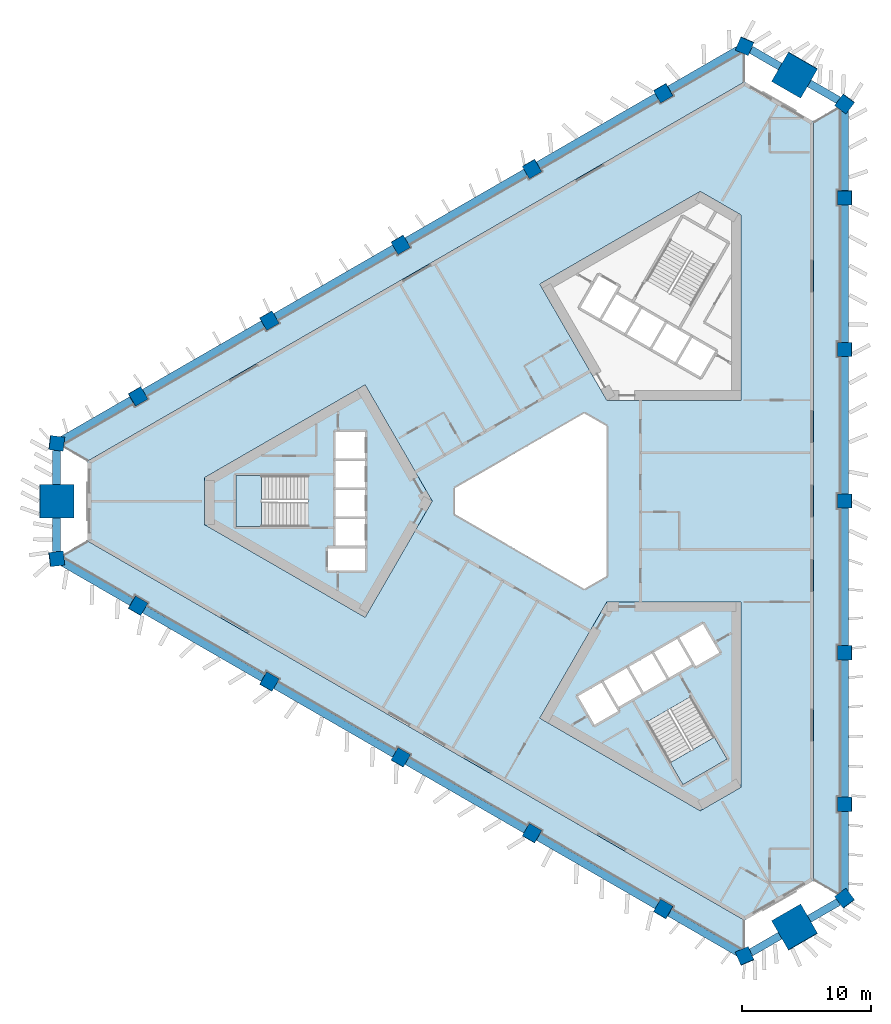
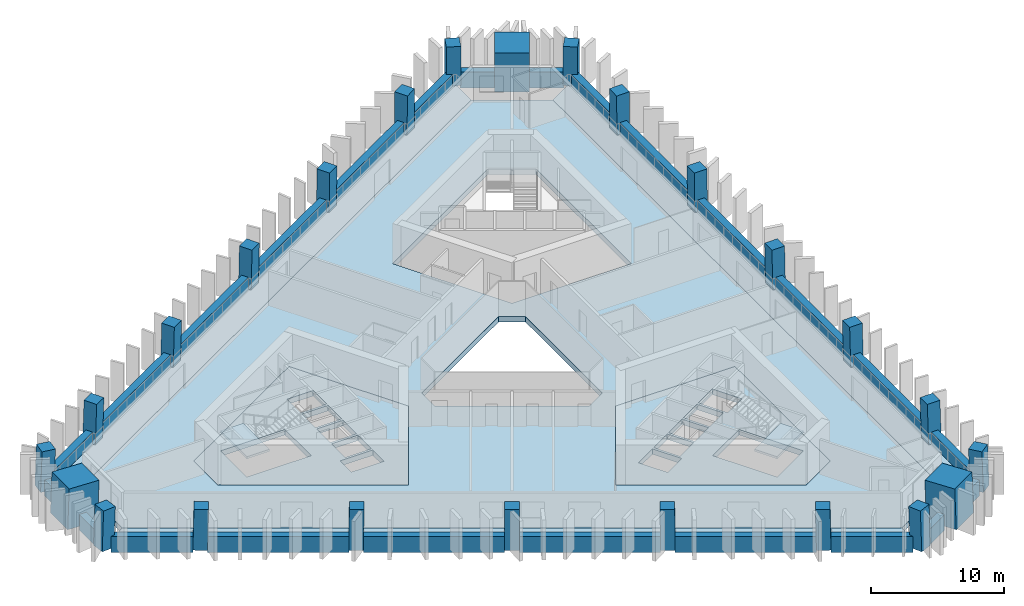
# One storey, part 1 of 10: 24 beams, 24 columns, 8 slabs, 2 elements without a shape of their own.
"""IFC4 building model written with IfcOpenShell, lengths in metres."""

from ifc_helpers import new_model, si_unit, direction, frame, origin, origin_2d, place, context, subcontext, project, spatial, polyline, rectangle, outline, extrude, material, layer, layer_set, material_profile, profile_set, type_object, element, aggregate, save


model = new_model("IFC4")

# Units and contexts
model_context = context("Model", 3, precision=1e-05, world=origin(), true_north=direction((0.0, 1.0)))
body_context = subcontext(model_context, "Body", "Model", "MODEL_VIEW")
ifc_project = project(units=[si_unit("LENGTHUNIT", "METRE"), si_unit("AREAUNIT", "SQUARE_METRE"), si_unit("VOLUMEUNIT", "CUBIC_METRE"), si_unit("PLANEANGLEUNIT", "RADIAN"), si_unit("MASSUNIT", "GRAM", prefix="KILO")], contexts=[model_context])

# Site, building, storey
site_placement = place(None, origin())
site = spatial("IfcSite", under=ifc_project, at=site_placement, CompositionType="ELEMENT")
building_placement = place(site_placement, origin())
building = spatial("IfcBuilding", under=site, at=building_placement, Name="Jabali Bay Hotel Tower and Convention Centre", CompositionType="ELEMENT")
storey_placement = place(building_placement, frame((0.0, 0.0, 86.89990234375)))
storey = spatial("IfcBuildingStorey", under=building, at=storey_placement, Name="L20", CompositionType="ELEMENT", Elevation=86.89990234375)

# Columns
ifc_material_1 = material(Name="Concrete C60", Category="concrete")
ifc_material_profile_1 = material_profile(ifc_material_1, rectangle(XDim=1.10009765625, YDim=1.10009765625, at=origin_2d()), Name="Frame column 1100")
ifc_profile_set_1 = profile_set([ifc_material_profile_1], Name="Concrete C60")
column_type_1 = type_object("IfcColumnType", Name="Frame column 1100", PredefinedType="COLUMN", material=ifc_profile_set_1)
column_1_placement = place(storey_placement, frame((83.871826171875, 111.56640625, 0.0), z_axis=(-0.00830995476, -0.028161513353, 0.999568843961), x_axis=(0.864772838411, 0.501710285471, 0.021324338185)))
element("IfcColumn", 1, at=column_1_placement, inside=storey, type_object=column_type_1, Name="FC2 F1.1 L20", PredefinedType="COLUMN", context=body_context, shape_type="SweptSolid", body=[
    extrude(rectangle(XDim=1.10009765625, YDim=1.10009765625, at=origin_2d()), origin(), (0.0, 0.0, 1.0), 3.701904296875),
])
column_2_placement = place(storey_placement, frame((73.710693359375, 105.69970703125, 0.0), z_axis=(0.000857522362, -0.02282328747, 0.99973914708), x_axis=(0.866060437305, 0.499825487007, 0.010667777304)))
element("IfcColumn", 2, at=column_2_placement, inside=storey, type_object=column_type_1, Name="FC2 F1.2 L20", PredefinedType="COLUMN", context=body_context, shape_type="SweptSolid", body=[
    extrude(rectangle(XDim=1.10009765625, YDim=1.10009765625, at=origin_2d()), origin(), (0.0, 0.0, 1.0), 3.701171875),
])
column_3_placement = place(storey_placement, frame((63.54931640625, 99.8330078125, 0.0), z_axis=(0.010092954999, -0.017481261926, 0.999796248113), x_axis=(0.86601685016, 0.500014815019, 2.20896e-07)))
element("IfcColumn", 3, at=column_3_placement, inside=storey, type_object=column_type_1, Name="FC2 F1.3 L20", PredefinedType="COLUMN", context=body_context, shape_type="SweptSolid", body=[
    extrude(rectangle(XDim=1.10009765625, YDim=1.10009765625, at=origin_2d()), origin(), (0.0, 0.0, 1.0), 3.700927734375),
])
column_4_placement = place(storey_placement, frame((53.38818359375, 93.966552734375, 0.0), z_axis=(0.019327226818, -0.01220319782, 0.999738736004), x_axis=(-0.498096614993, 0.866885968369, 0.020210887592)))
element("IfcColumn", 4, at=column_4_placement, inside=storey, type_object=column_type_1, Name="FC2 F1.4 L20", PredefinedType="COLUMN", context=body_context, shape_type="SweptSolid", body=[
    extrude(rectangle(XDim=1.10009765625, YDim=1.10009765625, at=origin_2d()), origin(), (0.0, 0.0, 1.0), 3.701171875),
])
for number, where, z_axis, x_axis, name in (
    (5, (43.226806640625, 88.099853515625, 0.0), (0.028557232129, -0.006793059837, 0.999569076568), (-0.500407681469, 0.865554719029, 0.0201787188), "FC2 F1.5 L20"),
    (6, (43.226806640625, 71.900146484375, 0.0), (0.028557232129, 0.006793059837, 0.999569076568), (-0.865318806464, 0.500768292431, 0.021318547709), "FC2 F2.1 L20"),
):
    element("IfcColumn", number, at=place(storey_placement, frame(where, z_axis=z_axis, x_axis=x_axis)), inside=storey, type_object=column_type_1, Name=name, PredefinedType="COLUMN", context=body_context, shape_type="SweptSolid", body=[
        extrude(rectangle(XDim=1.10009765625, YDim=1.10009765625, at=origin_2d()), origin(), (0.0, 0.0, 1.0), 3.701904296875),
    ])
column_5_placement = place(storey_placement, frame((53.38818359375, 66.033447265625, 0.0), z_axis=(0.019327226818, 0.01220319782, 0.999738736004), x_axis=(-0.866906119736, 0.49835710069, 0.010676130209)))
element("IfcColumn", 7, at=column_5_placement, inside=storey, type_object=column_type_1, Name="FC2 F2.2 L20", PredefinedType="COLUMN", context=body_context, shape_type="SweptSolid", body=[
    extrude(rectangle(XDim=1.10009765625, YDim=1.10009765625, at=origin_2d()), origin(), (0.0, 0.0, 1.0), 3.701171875),
])
column_6_placement = place(storey_placement, frame((63.54931640625, 60.1669921875, 0.0), z_axis=(0.010092954999, 0.017481261926, 0.999796248113), x_axis=(-0.499912939919, -0.865840395363, 0.020185694417)))
element("IfcColumn", 8, at=column_6_placement, inside=storey, type_object=column_type_1, Name="FC2 F2.3 L20", PredefinedType="COLUMN", context=body_context, shape_type="SweptSolid", body=[
    extrude(rectangle(XDim=1.10009765625, YDim=1.10009765625, at=origin_2d()), origin(), (0.0, 0.0, 1.0), 3.700927734375),
])
column_7_placement = place(storey_placement, frame((73.710693359375, 54.30029296875, 0.0), z_axis=(0.000857522362, 0.02282328747, 0.99973914708), x_axis=(-0.499938579817, -0.865825375054, 0.020194957859)))
element("IfcColumn", 9, at=column_7_placement, inside=storey, type_object=column_type_1, Name="FC2 F2.4 L20", PredefinedType="COLUMN", context=body_context, shape_type="SweptSolid", body=[
    extrude(rectangle(XDim=1.10009765625, YDim=1.10009765625, at=origin_2d()), origin(), (0.0, 0.0, 1.0), 3.701171875),
])
for number, where, z_axis, x_axis, name in (
    (10, (83.871826171875, 48.43359375, 0.0), (-0.00830995476, 0.028161513353, 0.999568843961), (-0.502094495686, -0.864577190665, 0.020184122061), "FC2 F2.5 L20"),
    (11, (97.9013671875, 56.533447265625, 0.0), (-0.020181300839, 0.021368436182, 0.999567959186), (-0.001321597842, -0.99977127255, 0.021346099457), "FC2 F0.1 L20"),
):
    element("IfcColumn", number, at=place(storey_placement, frame(where, z_axis=z_axis, x_axis=x_axis)), inside=storey, type_object=column_type_1, Name=name, PredefinedType="COLUMN", context=body_context, shape_type="SweptSolid", body=[
        extrude(rectangle(XDim=1.10009765625, YDim=1.10009765625, at=origin_2d()), origin(), (0.0, 0.0, 1.0), 3.701904296875),
    ])
column_8_placement = place(storey_placement, frame((97.9013671875, 68.266845703125, 0.0), z_axis=(-0.02018477153, 0.01062009221, 0.999739860484), x_axis=(0.001543252549, -0.999942060058, 0.010653398453)))
element("IfcColumn", 12, at=column_8_placement, inside=storey, type_object=column_type_1, Name="FC2 F0.2 L20", PredefinedType="COLUMN", context=body_context, shape_type="SweptSolid", body=[
    extrude(rectangle(XDim=1.10009765625, YDim=1.10009765625, at=origin_2d()), origin(), (0.0, 0.0, 1.0), 3.701171875),
])
column_9_placement = place(storey_placement, frame((97.9013671875, 80.0, 0.0), z_axis=(-0.02018590991, 0.0, 0.999796243762), x_axis=(0.0, -1.0, 0.0)))
element("IfcColumn", 13, at=column_9_placement, inside=storey, type_object=column_type_1, Name="FC2 F0.3 L20", PredefinedType="COLUMN", context=body_context, shape_type="SweptSolid", body=[
    extrude(rectangle(XDim=1.10009765625, YDim=1.10009765625, at=origin_2d()), origin(), (0.0, 0.0, 1.0), 3.700927734375),
])
column_10_placement = place(storey_placement, frame((97.9013671875, 91.733154296875, 0.0), z_axis=(-0.02018477153, -0.01062009221, 0.999739860484), x_axis=(0.999795075688, -0.001757887502, 0.020167212541)))
element("IfcColumn", 14, at=column_10_placement, inside=storey, type_object=column_type_1, Name="FC2 F0.4 L20", PredefinedType="COLUMN", context=body_context, shape_type="SweptSolid", body=[
    extrude(rectangle(XDim=1.10009765625, YDim=1.10009765625, at=origin_2d()), origin(), (0.0, 0.0, 1.0), 3.701171875),
])
column_11_placement = place(storey_placement, frame((97.9013671875, 103.466552734375, 0.0), z_axis=(-0.020181300839, -0.021368436182, 0.999567959186), x_axis=(0.99979546332, 0.000890234802, 0.0202049253)))
element("IfcColumn", 15, at=column_11_placement, inside=storey, type_object=column_type_1, Name="FC2 F0.5 L20", PredefinedType="COLUMN", context=body_context, shape_type="SweptSolid", body=[
    extrude(rectangle(XDim=1.10009765625, YDim=1.10009765625, at=origin_2d()), origin(), (0.0, 0.0, 1.0), 3.701904296875),
])
for number, where, z_axis, x_axis, name in (
    (16, (97.9013671875, 49.2666015625, 0.0), (-0.020177412175, 0.029013272408, 0.999375355941), (-0.801965074737, -0.597369813917, 0.001150792112), "FC2 V0 L20"),
    (17, (97.9013671875, 110.7333984375, 0.0), (-0.020177412175, -0.029013272408, 0.999375355941), (0.597030058657, 0.801440912011, 0.035321008131), "FC2 V1 L20"),
    (18, (90.165283203125, 115.19970703125, 0.0), (-0.01503415113, -0.031980540781, 0.999375414602), (0.918352984089, -0.395760625149, 0.001150737475), "FC2 V2 L20"),
    (19, (36.93359375, 84.46630859375, 0.0), (0.035211566633, -0.002967266851, 0.999375475436), (-0.992583024174, 0.116325428137, 0.035317628607), "FC2 V3 L20"),
    (20, (36.93359375, 75.53369140625, 0.0), (0.035211566633, 0.002967266851, 0.999375475436), (-0.116357576878, 0.993206720726, 0.001150741859), "FC2 V4 L20"),
    (21, (90.165283203125, 44.80029296875, 0.0), (-0.01503415113, 0.031980540781, 0.999375414602), (0.395476637634, -0.917796694586, 0.035319350109), "FC2 V5 L20"),
):
    element("IfcColumn", number, at=place(storey_placement, frame(where, z_axis=z_axis, x_axis=x_axis)), inside=storey, type_object=column_type_1, Name=name, PredefinedType="COLUMN", context=body_context, shape_type="SweptSolid", body=[
        extrude(rectangle(XDim=1.10009765625, YDim=1.10009765625, at=origin_2d()), origin(), (0.0, 0.0, 1.0), 3.702392578125),
    ])
ifc_material_2 = material(Name="Concrete C70", Category="concrete")
ifc_material_profile_2 = material_profile(ifc_material_2, rectangle(XDim=2.60009765625, YDim=2.60009765625, at=origin_2d()), Name="Mega column 2600")
ifc_profile_set_2 = profile_set([ifc_material_profile_2], Name="Concrete C70")
column_type_2 = type_object("IfcColumnType", Name="Mega column 2600", PredefinedType="COLUMN", material=ifc_profile_set_2)
for number, where, z_axis, x_axis, name in (
    (22, (94.033203125, 112.966552734375, 0.0), (-0.017605841609, -0.030529980019, 0.999378784376), (0.866279052578, -0.499560409824, 2.46e-09), "MC2 M1 L20"),
    (23, (36.93359375, 80.0, 0.0), (0.035211721647, 0.0, 0.999379875052), (0.0, 1.0, 0.0), "MC2 M0 L20"),
    (24, (94.033203125, 47.033447265625, 0.0), (-0.017605841609, 0.030529980019, 0.999378784376), (0.499250075017, -0.86574090654, 0.035242663616), "MC2 M2 L20"),
):
    element("IfcColumn", number, at=place(storey_placement, frame(where, z_axis=z_axis, x_axis=x_axis)), inside=storey, type_object=column_type_2, Name=name, PredefinedType="COLUMN", context=body_context, shape_type="SweptSolid", body=[
        extrude(rectangle(XDim=2.60009765625, YDim=2.60009765625, at=origin_2d()), origin(), (0.0, 0.0, 1.0), 3.702392578125),
    ])

# Beams
ifc_material_profile_3 = material_profile(ifc_material_1, rectangle(XDim=0.60009765625, YDim=1.449951171875, at=origin_2d()), Name="Spandrel 600x1450")
ifc_profile_set_3 = profile_set([ifc_material_profile_3], Name="Concrete C60")
beam_type = type_object("IfcBeamType", Name="Spandrel 600x1450", PredefinedType="SPANDREL", material=ifc_profile_set_3)
beam_1_placement = place(storey_placement, frame((92.90087890625, 113.60498046875, 0.375), z_axis=(-0.866028574817, 0.499994507569, 0.0), x_axis=(-0.499994507569, -0.866028574817, 0.0)))
element("IfcBeam", 25, at=beam_1_placement, inside=storey, type_object=beam_type, Name="Spandrel M1-V2 L20", PredefinedType="SPANDREL", context=body_context, shape_type="SweptSolid", body=[
    extrude(rectangle(XDim=0.60009765625, YDim=1.449951171875, at=origin_2d()), origin(), (0.0, 0.0, 1.0), 2.615234375),
])
beam_2_placement = place(storey_placement, frame((89.683349609375, 114.91259765625, 0.375), z_axis=(-0.866038500573, -0.499977315012, 0.0), x_axis=(0.499977315012, -0.866038500573, 0.0)))
element("IfcBeam", 26, at=beam_2_placement, inside=storey, type_object=beam_type, Name="Spandrel V2-F1.1 L20", PredefinedType="SPANDREL", context=body_context, shape_type="SweptSolid", body=[
    extrude(rectangle(XDim=0.60009765625, YDim=1.449951171875, at=origin_2d()), origin(), (0.0, 0.0, 1.0), 6.163818359375),
])
beam_3_placement = place(storey_placement, frame((83.392578125, 111.28076171875, 0.375), z_axis=(-0.866025323223, -0.500000139537, 0.0), x_axis=(0.500000139537, -0.866025323223, 0.0)))
element("IfcBeam", 27, at=beam_3_placement, inside=storey, type_object=beam_type, Name="Spandrel F1.1-F1.2 L20", PredefinedType="SPANDREL", context=body_context, shape_type="SweptSolid", body=[
    extrude(rectangle(XDim=0.60009765625, YDim=1.449951171875, at=origin_2d()), origin(), (0.0, 0.0, 1.0), 10.62939453125),
])
beam_4_placement = place(storey_placement, frame((73.234619140625, 105.416015625, 0.375), z_axis=(-0.86602952684, -0.49999285859, 0.0), x_axis=(0.49999285859, -0.86602952684, 0.0)))
element("IfcBeam", 28, at=beam_4_placement, inside=storey, type_object=beam_type, Name="Spandrel F1.2-F1.3 L20", PredefinedType="SPANDREL", context=body_context, shape_type="SweptSolid", body=[
    extrude(rectangle(XDim=0.60009765625, YDim=1.449951171875, at=origin_2d()), origin(), (0.0, 0.0, 1.0), 10.629150390625),
])
beam_5_placement = place(storey_placement, frame((63.076904296875, 99.551513671875, 0.375), z_axis=(-0.866025323223, -0.500000139537, 0.0), x_axis=(0.500000139537, -0.866025323223, 0.0)))
element("IfcBeam", 29, at=beam_5_placement, inside=storey, type_object=beam_type, Name="Spandrel F1.3-F1.4 L20", PredefinedType="SPANDREL", context=body_context, shape_type="SweptSolid", body=[
    extrude(rectangle(XDim=0.60009765625, YDim=1.449951171875, at=origin_2d()), origin(), (0.0, 0.0, 1.0), 10.62939453125),
])
beam_6_placement = place(storey_placement, frame((52.9189453125, 93.686767578125, 0.375), z_axis=(-0.86602952684, -0.49999285859, 0.0), x_axis=(0.49999285859, -0.86602952684, 0.0)))
element("IfcBeam", 30, at=beam_6_placement, inside=storey, type_object=beam_type, Name="Spandrel F1.4-F1.5 L20", PredefinedType="SPANDREL", context=body_context, shape_type="SweptSolid", body=[
    extrude(rectangle(XDim=0.60009765625, YDim=1.449951171875, at=origin_2d()), origin(), (0.0, 0.0, 1.0), 10.629150390625),
])
beam_7_placement = place(storey_placement, frame((42.76123046875, 87.822265625, 0.375), z_axis=(-0.866021349965, -0.500007021356, 0.0), x_axis=(0.500007021356, -0.866021349965, 0.0)))
element("IfcBeam", 31, at=beam_7_placement, inside=storey, type_object=beam_type, Name="Spandrel F1.5-V3 L20", PredefinedType="SPANDREL", context=body_context, shape_type="SweptSolid", body=[
    extrude(rectangle(XDim=0.60009765625, YDim=1.449951171875, at=origin_2d()), origin(), (0.0, 0.0, 1.0), 6.1640625),
])
for number, where, z_axis, x_axis, name in (
    (32, (36.94677734375, 83.915283203125, 0.375), (0.0, -1.0, 0.0), (1.0, 0.0, 0.0), "Spandrel V3-M0 L20"),
    (33, (36.94677734375, 78.699951171875, 0.375), (0.0, -1.0, 0.0), (1.0, 0.0, 0.0), "Spandrel M0-V4 L20"),
):
    element("IfcBeam", number, at=place(storey_placement, frame(where, z_axis=z_axis, x_axis=x_axis)), inside=storey, type_object=beam_type, Name=name, PredefinedType="SPANDREL", context=body_context, shape_type="SweptSolid", body=[
        extrude(rectangle(XDim=0.60009765625, YDim=1.449951171875, at=origin_2d()), origin(), (0.0, 0.0, 1.0), 2.615234375),
    ])
beam_8_placement = place(storey_placement, frame((37.423095703125, 75.259765625, 0.375), z_axis=(0.866021349965, -0.500007021356, 0.0), x_axis=(0.500007021356, 0.866021349965, 0.0)))
element("IfcBeam", 34, at=beam_8_placement, inside=storey, type_object=beam_type, Name="Spandrel V4-F2.1 L20", PredefinedType="SPANDREL", context=body_context, shape_type="SweptSolid", body=[
    extrude(rectangle(XDim=0.60009765625, YDim=1.449951171875, at=origin_2d()), origin(), (0.0, 0.0, 1.0), 6.1640625),
])
beam_9_placement = place(storey_placement, frame((43.7138671875, 71.627685546875, 0.375), z_axis=(0.86602952684, -0.49999285859, 0.0), x_axis=(0.49999285859, 0.86602952684, 0.0)))
element("IfcBeam", 35, at=beam_9_placement, inside=storey, type_object=beam_type, Name="Spandrel F2.1-F2.2 L20", PredefinedType="SPANDREL", context=body_context, shape_type="SweptSolid", body=[
    extrude(rectangle(XDim=0.60009765625, YDim=1.449951171875, at=origin_2d()), origin(), (0.0, 0.0, 1.0), 10.629150390625),
])
beam_10_placement = place(storey_placement, frame((53.87158203125, 65.76318359375, 0.375), z_axis=(0.866025323223, -0.500000139537, 0.0), x_axis=(0.500000139537, 0.866025323223, 0.0)))
element("IfcBeam", 36, at=beam_10_placement, inside=storey, type_object=beam_type, Name="Spandrel F2.2-F2.3 L20", PredefinedType="SPANDREL", context=body_context, shape_type="SweptSolid", body=[
    extrude(rectangle(XDim=0.60009765625, YDim=1.449951171875, at=origin_2d()), origin(), (0.0, 0.0, 1.0), 10.62939453125),
])
beam_11_placement = place(storey_placement, frame((64.029541015625, 59.8984375, 0.375), z_axis=(0.86602952684, -0.49999285859, 0.0), x_axis=(0.49999285859, 0.86602952684, 0.0)))
element("IfcBeam", 37, at=beam_11_placement, inside=storey, type_object=beam_type, Name="Spandrel F2.3-F2.4 L20", PredefinedType="SPANDREL", context=body_context, shape_type="SweptSolid", body=[
    extrude(rectangle(XDim=0.60009765625, YDim=1.449951171875, at=origin_2d()), origin(), (0.0, 0.0, 1.0), 10.629150390625),
])
beam_12_placement = place(storey_placement, frame((74.187255859375, 54.033935546875, 0.375), z_axis=(0.866025323223, -0.500000139537, 0.0), x_axis=(0.500000139537, 0.866025323223, 0.0)))
element("IfcBeam", 38, at=beam_12_placement, inside=storey, type_object=beam_type, Name="Spandrel F2.4-F2.5 L20", PredefinedType="SPANDREL", context=body_context, shape_type="SweptSolid", body=[
    extrude(rectangle(XDim=0.60009765625, YDim=1.449951171875, at=origin_2d()), origin(), (0.0, 0.0, 1.0), 10.62939453125),
])
beam_13_placement = place(storey_placement, frame((84.34521484375, 48.169189453125, 0.375), z_axis=(0.866038500573, -0.499977315012, 0.0), x_axis=(0.499977315012, 0.866038500573, 0.0)))
element("IfcBeam", 39, at=beam_13_placement, inside=storey, type_object=beam_type, Name="Spandrel F2.5-V5 L20", PredefinedType="SPANDREL", context=body_context, shape_type="SweptSolid", body=[
    extrude(rectangle(XDim=0.60009765625, YDim=1.449951171875, at=origin_2d()), origin(), (0.0, 0.0, 1.0), 6.163818359375),
])
beam_14_placement = place(storey_placement, frame((90.635986328125, 45.08740234375, 0.375), z_axis=(0.866028574817, 0.499994507569, 0.0), x_axis=(-0.499994507569, 0.866028574817, 0.0)))
element("IfcBeam", 40, at=beam_14_placement, inside=storey, type_object=beam_type, Name="Spandrel V5-M2 L20", PredefinedType="SPANDREL", context=body_context, shape_type="SweptSolid", body=[
    extrude(rectangle(XDim=0.60009765625, YDim=1.449951171875, at=origin_2d()), origin(), (0.0, 0.0, 1.0), 2.615234375),
])
beam_15_placement = place(storey_placement, frame((95.15234375, 47.69482421875, 0.375), z_axis=(0.866011491631, 0.500024095782, 0.0), x_axis=(-0.500024095782, 0.866011491631, 0.0)))
element("IfcBeam", 41, at=beam_15_placement, inside=storey, type_object=beam_type, Name="Spandrel M2-V0 L20", PredefinedType="SPANDREL", context=body_context, shape_type="SweptSolid", body=[
    extrude(rectangle(XDim=0.60009765625, YDim=1.449951171875, at=origin_2d()), origin(), (0.0, 0.0, 1.0), 2.615478515625),
])
beam_16_placement = place(storey_placement, frame((97.893798828125, 49.82763671875, 0.375), z_axis=(0.0, 1.0, 0.0), x_axis=(-1.0, 0.0, 0.0)))
element("IfcBeam", 42, at=beam_16_placement, inside=storey, type_object=beam_type, Name="Spandrel V0-F0.1 L20", PredefinedType="SPANDREL", context=body_context, shape_type="SweptSolid", body=[
    extrude(rectangle(XDim=0.60009765625, YDim=1.449951171875, at=origin_2d()), origin(), (0.0, 0.0, 1.0), 6.163818359375),
])
for number, where, z_axis, x_axis, name in (
    (43, (97.893798828125, 57.091552734375, 0.375), (0.0, 1.0, 0.0), (-1.0, 0.0, 0.0), "Spandrel F0.1-F0.2 L20"),
    (44, (97.893798828125, 68.82080078125, 0.375), (0.0, 1.0, 0.0), (-1.0, 0.0, 0.0), "Spandrel F0.2-F0.3 L20"),
    (45, (97.893798828125, 80.550048828125, 0.375), (0.0, 1.0, 0.0), (-1.0, 0.0, 0.0), "Spandrel F0.3-F0.4 L20"),
    (46, (97.893798828125, 92.279296875, 0.375), (0.0, 1.0, 0.0), (-1.0, 0.0, 0.0), "Spandrel F0.4-F0.5 L20"),
):
    element("IfcBeam", number, at=place(storey_placement, frame(where, z_axis=z_axis, x_axis=x_axis)), inside=storey, type_object=beam_type, Name=name, PredefinedType="SPANDREL", context=body_context, shape_type="SweptSolid", body=[
        extrude(rectangle(XDim=0.60009765625, YDim=1.449951171875, at=origin_2d()), origin(), (0.0, 0.0, 1.0), 10.629150390625),
    ])
beam_17_placement = place(storey_placement, frame((97.893798828125, 104.008544921875, 0.375), z_axis=(0.0, 1.0, 0.0), x_axis=(-1.0, 0.0, 0.0)))
element("IfcBeam", 47, at=beam_17_placement, inside=storey, type_object=beam_type, Name="Spandrel F0.5-V1 L20", PredefinedType="SPANDREL", context=body_context, shape_type="SweptSolid", body=[
    extrude(rectangle(XDim=0.60009765625, YDim=1.449951171875, at=origin_2d()), origin(), (0.0, 0.0, 1.0), 6.163818359375),
])
beam_18_placement = place(storey_placement, frame((97.41748046875, 110.997314453125, 0.375), z_axis=(-0.866011491631, 0.500024095782, 0.0), x_axis=(-0.500024095782, -0.866011491631, 0.0)))
element("IfcBeam", 48, at=beam_18_placement, inside=storey, type_object=beam_type, Name="Spandrel V1-M1 L20", PredefinedType="SPANDREL", context=body_context, shape_type="SweptSolid", body=[
    extrude(rectangle(XDim=0.60009765625, YDim=1.449951171875, at=origin_2d()), origin(), (0.0, 0.0, 1.0), 2.615478515625),
])

# Slabs
ifc_material_3 = material(Name="Concrete C40", Category="concrete")
ifc_layer_1 = layer(ifc_material_3, 0.5)
ifc_layer_set_1 = layer_set([ifc_layer_1], Name="Concrete C40")
slab_type_1 = type_object("IfcSlabType", Name="Core floor slab 500", PredefinedType="FLOOR", material=ifc_layer_set_1)
slab_1_placement = place(storey_placement, frame((0.0, 0.0, -0.5)))
element("IfcSlab", 49, at=slab_1_placement, inside=storey, type_object=slab_type_1, Name="Core floor slab 1 L20", PredefinedType="FLOOR", context=body_context, shape_type="SweptSolid", body=[
    extrude(outline(polyline([(66.0, 80.0), (60.81005859375, 88.9892578125), (48.39697265625, 81.82275390625), (48.39697265625, 78.17724609375), (60.81005859375, 71.0107421875), (66.0, 80.0)]), holes=[polyline([(60.800048828125, 74.64990234375), (60.800048828125, 76.35009765625), (57.949951171875, 76.35009765625), (57.949951171875, 74.64990234375), (60.800048828125, 74.64990234375)]), polyline([(58.52001953125, 76.550048828125), (60.800048828125, 76.550048828125), (60.800048828125, 78.60009765625), (58.52001953125, 78.60009765625), (58.52001953125, 76.550048828125)]), polyline([(58.52001953125, 78.800048828125), (60.800048828125, 78.800048828125), (60.800048828125, 80.85009765625), (58.52001953125, 80.85009765625), (58.52001953125, 78.800048828125)]), polyline([(56.409912109375, 81.97509765625), (50.820068359375, 81.97509765625), (50.820068359375, 78.02490234375), (56.409912109375, 78.02490234375), (56.409912109375, 81.97509765625)]), polyline([(58.52001953125, 81.050048828125), (60.800048828125, 81.050048828125), (60.800048828125, 83.10009765625), (58.52001953125, 83.10009765625), (58.52001953125, 81.050048828125)]), polyline([(58.52001953125, 83.300048828125), (60.800048828125, 83.300048828125), (60.800048828125, 85.35009765625), (58.52001953125, 85.35009765625), (58.52001953125, 83.300048828125)])]), origin(), (0.0, 0.0, 1.0), 0.5),
])
slab_2_placement = place(storey_placement, frame((0.0, 0.0, -0.5)))
element("IfcSlab", 50, at=slab_2_placement, inside=storey, type_object=slab_type_1, Name="Core floor slab 3 L20", PredefinedType="FLOOR", context=body_context, shape_type="SweptSolid", body=[
    extrude(outline(polyline([(79.5, 72.205810546875), (74.31005859375, 63.21630859375), (86.72314453125, 56.0498046875), (89.8798828125, 57.872314453125), (89.8798828125, 72.205810546875), (79.5, 72.205810546875)]), holes=[polyline([(82.584716796875, 62.9130859375), (85.379638671875, 58.072021484375), (88.80029296875, 60.047119140625), (86.00537109375, 64.88818359375), (82.584716796875, 62.9130859375)]), polyline([(80.365478515625, 63.756591796875), (79.090576171875, 65.96484375), (77.27197265625, 64.9150390625), (78.546875, 62.70654296875), (80.365478515625, 63.756591796875)]), polyline([(82.17919921875, 65.115478515625), (81.0390625, 67.08984375), (79.263671875, 66.06494140625), (80.40380859375, 64.09033203125), (82.17919921875, 65.115478515625)]), polyline([(82.98779296875, 68.21484375), (81.21240234375, 67.18994140625), (82.352294921875, 65.21533203125), (84.127685546875, 66.240478515625), (82.98779296875, 68.21484375)]), polyline([(86.076171875, 67.365478515625), (84.936279296875, 69.33984375), (83.160888671875, 68.31494140625), (84.30078125, 66.34033203125), (86.076171875, 67.365478515625)]), polyline([(88.203125, 68.281494140625), (86.927978515625, 70.489990234375), (85.109375, 69.43994140625), (86.384521484375, 67.231689453125), (88.203125, 68.281494140625)])]), origin(), (0.0, 0.0, 1.0), 0.5),
])
ifc_layer_2 = layer(ifc_material_3, 0.199951171875)
ifc_layer_set_2 = layer_set([ifc_layer_2], Name="Concrete C40")
slab_type_2 = type_object("IfcSlabType", Name="Loggia slab 200", PredefinedType="FLOOR", material=ifc_layer_set_2)
slab_3_placement = place(storey_placement, frame((0.0, 0.0, -0.199951171875)))
element("IfcSlab", 51, at=slab_3_placement, inside=storey, type_object=slab_type_2, Name="Loggia slab east face L20", PredefinedType="FLOOR", context=body_context, shape_type="SweptSolid", body=[
    extrude(outline(polyline([(95.501220703125, 109.34765625), (97.382568359375, 110.433837890625), (97.601318359375, 110.27099609375), (97.601318359375, 104.016357421875), (97.351318359375, 104.016357421875), (97.351318359375, 102.91650390625), (97.601318359375, 102.91650390625), (97.601318359375, 92.283203125), (97.351318359375, 92.283203125), (97.351318359375, 91.183349609375), (97.601318359375, 91.183349609375), (97.601318359375, 80.550048828125), (97.351318359375, 80.550048828125), (97.351318359375, 79.449951171875), (97.601318359375, 79.449951171875), (97.601318359375, 68.816650390625), (97.351318359375, 68.816650390625), (97.351318359375, 67.716796875), (97.601318359375, 67.716796875), (97.601318359375, 57.08349609375), (97.351318359375, 57.08349609375), (97.351318359375, 55.983642578125), (97.601318359375, 55.983642578125), (97.601318359375, 49.72900390625), (97.382568359375, 49.566162109375), (95.501220703125, 50.65234375), (95.501220703125, 109.34765625)])), origin(), (0.0, 0.0, 1.0), 0.199951171875),
])
slab_4_placement = place(storey_placement, frame((0.0, 0.0, -0.199951171875)))
element("IfcSlab", 52, at=slab_4_placement, inside=storey, type_object=slab_type_2, Name="Loggia slab north-west face L20", PredefinedType="FLOOR", context=body_context, shape_type="SweptSolid", body=[
    extrude(outline(polyline([(39.33349609375, 83.080810546875), (37.4521484375, 84.1669921875), (37.48388671875, 84.437744140625), (42.900390625, 87.56494140625), (43.025390625, 87.3486328125), (43.97802734375, 87.8984375), (43.85302734375, 88.114990234375), (53.061767578125, 93.431640625), (53.186767578125, 93.215087890625), (54.139404296875, 93.76513671875), (54.014404296875, 93.981689453125), (63.22314453125, 99.29833984375), (63.34814453125, 99.081787109375), (64.30078125, 99.6318359375), (64.17578125, 99.84814453125), (73.38427734375, 105.164794921875), (73.50927734375, 104.948486328125), (74.4619140625, 105.498291015625), (74.3369140625, 105.71484375), (83.545654296875, 111.031494140625), (83.670654296875, 110.81494140625), (84.623291015625, 111.364990234375), (84.498291015625, 111.58154296875), (89.914794921875, 114.708740234375), (90.165283203125, 114.600830078125), (90.165283203125, 112.428466796875), (39.33349609375, 83.080810546875)])), origin(), (0.0, 0.0, 1.0), 0.199951171875),
])
slab_5_placement = place(storey_placement, frame((0.0, 0.0, -0.199951171875)))
element("IfcSlab", 53, at=slab_5_placement, inside=storey, type_object=slab_type_2, Name="Loggia slab south-west face L20", PredefinedType="FLOOR", context=body_context, shape_type="SweptSolid", body=[
    extrude(outline(polyline([(90.165283203125, 47.571533203125), (90.165283203125, 45.399169921875), (89.914794921875, 45.291259765625), (84.498291015625, 48.41845703125), (84.623291015625, 48.635009765625), (83.670654296875, 49.18505859375), (83.545654296875, 48.968505859375), (74.3369140625, 54.28515625), (74.4619140625, 54.501708984375), (73.50927734375, 55.051513671875), (73.38427734375, 54.835205078125), (64.17578125, 60.15185546875), (64.30078125, 60.3681640625), (63.34814453125, 60.918212890625), (63.22314453125, 60.70166015625), (54.014404296875, 66.018310546875), (54.139404296875, 66.23486328125), (53.186767578125, 66.784912109375), (53.061767578125, 66.568359375), (43.85302734375, 71.885009765625), (43.97802734375, 72.1015625), (43.025390625, 72.6513671875), (42.900390625, 72.43505859375), (37.48388671875, 75.562255859375), (37.4521484375, 75.8330078125), (39.33349609375, 76.919189453125), (90.165283203125, 47.571533203125)])), origin(), (0.0, 0.0, 1.0), 0.199951171875),
])
ifc_layer_3 = layer(ifc_material_3, 0.5)
ifc_layer_set_3 = layer_set([ifc_layer_3], Name="Concrete C40")
slab_type_3 = type_object("IfcSlabType", Name="Post-tensioned flat slab 500", PredefinedType="FLOOR", material=ifc_layer_set_3)
slab_6_placement = place(storey_placement, frame((0.0, 0.0, -0.5)))
element("IfcSlab", 54, at=slab_6_placement, inside=storey, type_object=slab_type_3, Name="Floor slab L20", PredefinedType="FLOOR", context=body_context, shape_type="SweptSolid", body=[
    extrude(outline(polyline([(90.165283203125, 112.428466796875), (95.501220703125, 109.34765625), (95.501220703125, 50.65234375), (90.165283203125, 47.571533203125), (39.33349609375, 76.919189453125), (39.33349609375, 83.080810546875), (90.165283203125, 112.428466796875)]), holes=[polyline([(67.73193359375, 79.0), (77.76806640625, 73.205810546875), (79.5, 74.205810546875), (79.5, 85.794189453125), (77.76806640625, 86.794189453125), (67.73193359375, 81.0), (67.73193359375, 79.0)]), polyline([(48.39697265625, 78.17724609375), (60.81005859375, 71.0107421875), (66.0, 80.0), (60.81005859375, 88.9892578125), (48.39697265625, 81.82275390625), (48.39697265625, 78.17724609375)]), polyline([(89.8798828125, 102.127685546875), (86.72314453125, 103.9501953125), (74.31005859375, 96.78369140625), (79.5, 87.794189453125), (89.8798828125, 87.794189453125), (89.8798828125, 102.127685546875)]), polyline([(74.31005859375, 63.21630859375), (86.72314453125, 56.0498046875), (89.8798828125, 57.872314453125), (89.8798828125, 72.205810546875), (79.5, 72.205810546875), (74.31005859375, 63.21630859375)])]), origin(), (0.0, 0.0, 1.0), 0.5),
])

# Stair, slab
stair_type = type_object("IfcStairType", Name="Exit stair 1900", PredefinedType="HALF_TURN_STAIR", material=ifc_material_3)
stair_1_placement = place(storey_placement, origin())
stair_1 = element("IfcStair", 55, at=stair_1_placement, inside=storey, type_object=stair_type, Name="L20 Exit Stair 1", PredefinedType="HALF_TURN_STAIR")
ifc_layer_4 = layer(ifc_material_3, 0.199951171875)
ifc_layer_set_4 = layer_set([ifc_layer_4], Name="Concrete C40")
slab_type_4 = type_object("IfcSlabType", Name="Stair landing 200", PredefinedType="LANDING", material=ifc_layer_set_4)
slab_7_placement = place(storey_placement, frame((0.0, 0.0, 1.650146484375)))
slab_7 = element("IfcSlab", 56, at=slab_7_placement, type_object=slab_type_4, Name="ST1 landing 1", PredefinedType="LANDING", context=body_context, shape_type="SweptSolid", body=[
    extrude(outline(polyline([(52.782958984375, 81.97509765625), (50.820068359375, 81.97509765625), (50.820068359375, 78.02490234375), (52.782958984375, 78.02490234375), (52.782958984375, 81.97509765625)])), origin(), (0.0, 0.0, 1.0), 0.199951171875),
])
aggregate(stair_1, [slab_7])

stair_2_placement = place(storey_placement, origin())
stair_2 = element("IfcStair", 57, at=stair_2_placement, inside=storey, type_object=stair_type, Name="L20 Exit Stair 3", PredefinedType="HALF_TURN_STAIR")
slab_8_placement = place(storey_placement, frame((0.0, 0.0, 1.650146484375)))
slab_8 = element("IfcSlab", 58, at=slab_8_placement, type_object=slab_type_4, Name="ST3 landing 1", PredefinedType="LANDING", context=body_context, shape_type="SweptSolid", body=[
    extrude(outline(polyline([(84.398193359375, 59.77197265625), (85.379638671875, 58.072021484375), (88.80029296875, 60.047119140625), (87.81884765625, 61.7470703125), (84.398193359375, 59.77197265625)])), origin(), (0.0, 0.0, 1.0), 0.199951171875),
])
aggregate(stair_2, [slab_8])

save(model, "model.ifc")
